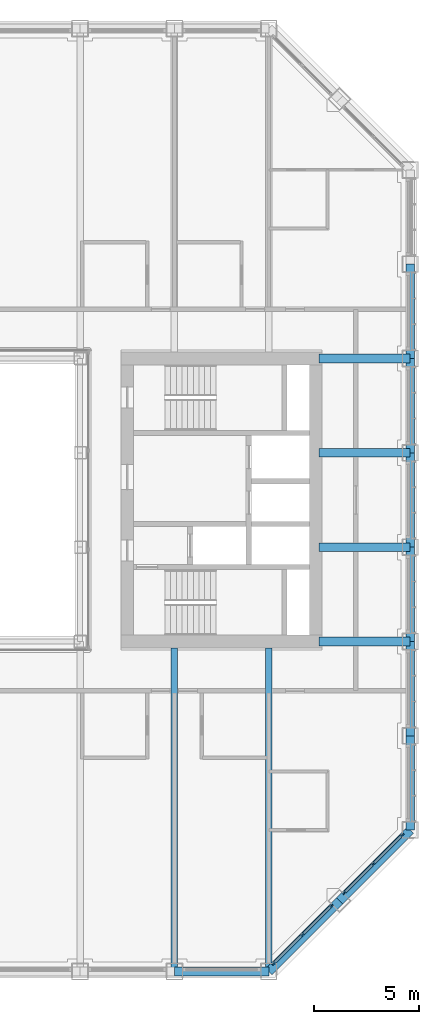
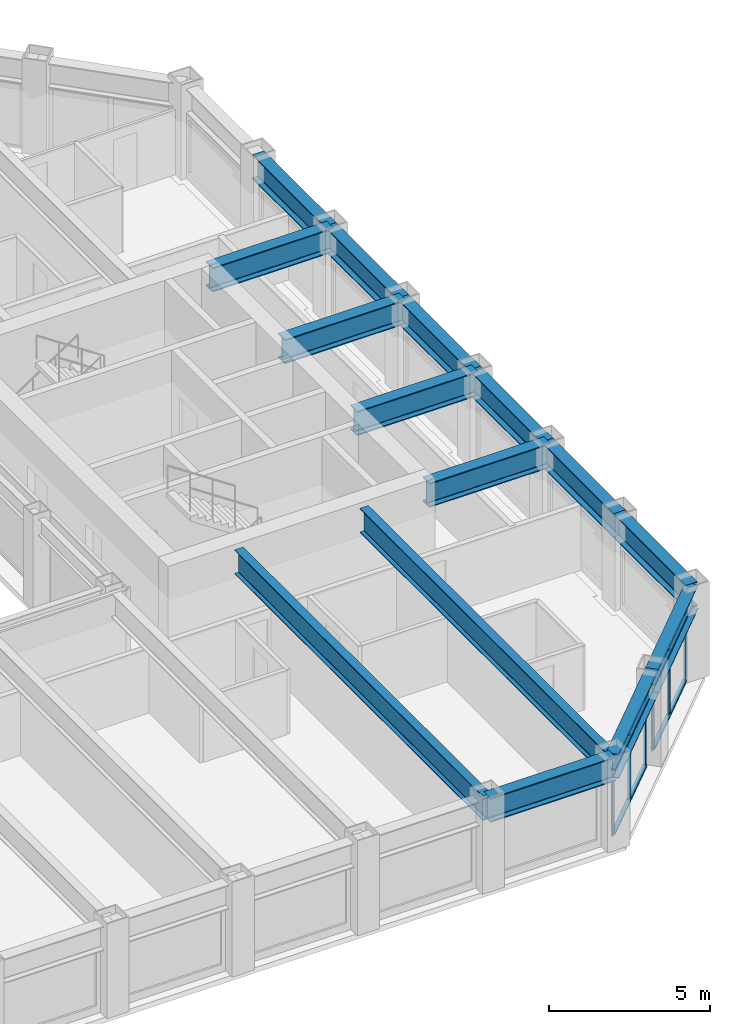
# One storey, part 6 of 17: 15 beams, 14 members, 2 elements without a shape of their own.
"""IFC4 building model written with IfcOpenShell, lengths in metres."""

from ifc_helpers import new_model, si_unit, direction, frame, origin, origin_2d, place, context, subcontext, project, spatial, rectangle, i_section, extrude, material, material_profile, profile_set, type_object, element, aggregate, save


model = new_model("IFC4")

# Units and contexts
model_context = context("Model", 3, precision=1e-05, world=origin(), true_north=direction((0.0, 1.0)))
body_context = subcontext(model_context, "Body", "Model", "MODEL_VIEW")
ifc_project = project(units=[si_unit("LENGTHUNIT", "METRE"), si_unit("AREAUNIT", "SQUARE_METRE"), si_unit("VOLUMEUNIT", "CUBIC_METRE"), si_unit("PLANEANGLEUNIT", "RADIAN"), si_unit("MASSUNIT", "GRAM", prefix="KILO")], contexts=[model_context])

# Site, building, storey
site_placement = place(None, origin())
site = spatial("IfcSite", under=ifc_project, at=site_placement, CompositionType="ELEMENT")
building_placement = place(site_placement, origin())
building = spatial("IfcBuilding", under=site, at=building_placement, Name="Msasa Ring Tower", CompositionType="ELEMENT")
storey_placement = place(building_placement, frame((0.0, 0.0, 172.39990234375)))
storey = spatial("IfcBuildingStorey", under=building, at=storey_placement, Name="L45", CompositionType="ELEMENT", Elevation=172.39990234375)

# Curtain wall, members
ifc_material_1 = material(Name="Aluminium curtain wall with clear glass", Category="aluminium")
curtain_wall_type = type_object("IfcCurtainWallType", Name="CW-C CHAMFER CORNER CURTAIN WALL", PredefinedType="NOTDEFINED", material=ifc_material_1)
curtain_wall_1_placement = place(storey_placement, origin())
curtain_wall_1 = element("IfcCurtainWall", 1, at=curtain_wall_1_placement, inside=storey, type_object=curtain_wall_type, Name="Chamfer corner curtain wall SE L45", PredefinedType="NOTDEFINED")
ifc_material_2 = material(Name="Aluminium mullion", Category="aluminium")
ifc_material_profile_1 = material_profile(ifc_material_2, rectangle(XDim=0.06494140625, YDim=0.179931640625, at=origin_2d()), Name="AL 65x180")
ifc_profile_set_1 = profile_set([ifc_material_profile_1], Name="Aluminium mullion")
member_type_1 = type_object("IfcMemberType", Name="CW-C MULLION 65x180", PredefinedType="MULLION", material=ifc_profile_set_1)
member_1_placement = place(storey_placement, frame((15.98876953125, -22.119873046875, 0.0), z_axis=(0.0, 0.0, 1.0), x_axis=(-0.707106781187, 0.707106781187, 0.0)))
member_1 = element("IfcMember", 2, at=member_1_placement, type_object=member_type_1, Name="CW-C mullion 1", PredefinedType="MULLION", context=body_context, shape_type="SweptSolid", body=[
    extrude(rectangle(XDim=0.06494140625, YDim=0.179931640625, at=origin_2d()), origin(), (0.0, 0.0, 1.0), 2.47900390625),
])
member_2_placement = place(storey_placement, frame((17.36669921875, -20.74169921875, 0.0), z_axis=(0.0, 0.0, 1.0), x_axis=(-0.707106781187, 0.707106781187, 0.0)))
member_2 = element("IfcMember", 3, at=member_2_placement, type_object=member_type_1, Name="CW-C mullion 2", PredefinedType="MULLION", context=body_context, shape_type="SweptSolid", body=[
    extrude(rectangle(XDim=0.06494140625, YDim=0.179931640625, at=origin_2d()), origin(), (0.0, 0.0, 1.0), 2.47900390625),
])
member_3_placement = place(storey_placement, frame((18.744873046875, -19.36376953125, 0.0), z_axis=(0.0, 0.0, 1.0), x_axis=(-0.707106781187, 0.707106781187, 0.0)))
member_3 = element("IfcMember", 4, at=member_3_placement, type_object=member_type_1, Name="CW-C mullion 3", PredefinedType="MULLION", context=body_context, shape_type="SweptSolid", body=[
    extrude(rectangle(XDim=0.06494140625, YDim=0.179931640625, at=origin_2d()), origin(), (0.0, 0.0, 1.0), 2.47900390625),
])

curtain_wall_2_placement = place(storey_placement, origin())
curtain_wall_2 = element("IfcCurtainWall", 5, at=curtain_wall_2_placement, inside=storey, type_object=curtain_wall_type, Name="Chamfer corner curtain wall SE L45", PredefinedType="NOTDEFINED")
member_4_placement = place(storey_placement, frame((19.36376953125, -18.744873046875, 0.0), z_axis=(0.0, 0.0, 1.0), x_axis=(-0.707106781187, 0.707106781187, 0.0)))
member_4 = element("IfcMember", 6, at=member_4_placement, type_object=member_type_1, Name="CW-C mullion 1", PredefinedType="MULLION", context=body_context, shape_type="SweptSolid", body=[
    extrude(rectangle(XDim=0.06494140625, YDim=0.179931640625, at=origin_2d()), origin(), (0.0, 0.0, 1.0), 2.47900390625),
])
member_5_placement = place(storey_placement, frame((20.74169921875, -17.36669921875, 0.0), z_axis=(0.0, 0.0, 1.0), x_axis=(-0.707106781187, 0.707106781187, 0.0)))
member_5 = element("IfcMember", 7, at=member_5_placement, type_object=member_type_1, Name="CW-C mullion 2", PredefinedType="MULLION", context=body_context, shape_type="SweptSolid", body=[
    extrude(rectangle(XDim=0.06494140625, YDim=0.179931640625, at=origin_2d()), origin(), (0.0, 0.0, 1.0), 2.47900390625),
])
member_6_placement = place(storey_placement, frame((22.119873046875, -15.98876953125, 0.0), z_axis=(0.0, 0.0, 1.0), x_axis=(-0.707106781187, 0.707106781187, 0.0)))
member_6 = element("IfcMember", 8, at=member_6_placement, type_object=member_type_1, Name="CW-C mullion 3", PredefinedType="MULLION", context=body_context, shape_type="SweptSolid", body=[
    extrude(rectangle(XDim=0.06494140625, YDim=0.179931640625, at=origin_2d()), origin(), (0.0, 0.0, 1.0), 2.47900390625),
])

# Member
ifc_material_3 = material(Name="Aluminium transom", Category="aluminium")
ifc_material_profile_2 = material_profile(ifc_material_3, rectangle(XDim=0.139892578125, YDim=0.06494140625, at=origin_2d()), Name="AL 65x140")
ifc_profile_set_2 = profile_set([ifc_material_profile_2], Name="Aluminium transom")
member_type_2 = type_object("IfcMemberType", Name="CW-C TRANSOM 65x140", PredefinedType="USERDEFINED", material=ifc_profile_set_2)
member_7_placement = place(storey_placement, frame((16.01171875, -22.096923828125, 0.03271484375), z_axis=(0.707106781187, 0.707106781187, 0.0), x_axis=(-0.707106781187, 0.707106781187, 0.0)))
member_7 = element("IfcMember", 9, at=member_7_placement, type_object=member_type_2, Name="CW-C transom 1.1", ObjectType="TRANSOM", PredefinedType="USERDEFINED", context=body_context, shape_type="SweptSolid", body=[
    extrude(rectangle(XDim=0.139892578125, YDim=0.06494140625, at=origin_2d()), origin(), (0.0, 0.0, 1.0), 1.8837890625),
])

member_8_placement = place(storey_placement, frame((16.01171875, -22.096923828125, 2.446533203125), z_axis=(0.707106781187, 0.707106781187, 0.0), x_axis=(-0.707106781187, 0.707106781187, 0.0)))
member_8 = element("IfcMember", 10, at=member_8_placement, type_object=member_type_2, Name="CW-C transom 1.2", ObjectType="TRANSOM", PredefinedType="USERDEFINED", context=body_context, shape_type="SweptSolid", body=[
    extrude(rectangle(XDim=0.139892578125, YDim=0.06494140625, at=origin_2d()), origin(), (0.0, 0.0, 1.0), 1.8837890625),
])

member_9_placement = place(storey_placement, frame((17.389892578125, -20.71875, 0.03271484375), z_axis=(0.707106781187, 0.707106781187, 0.0), x_axis=(-0.707106781187, 0.707106781187, 0.0)))
member_9 = element("IfcMember", 11, at=member_9_placement, type_object=member_type_2, Name="CW-C transom 2.1", ObjectType="TRANSOM", PredefinedType="USERDEFINED", context=body_context, shape_type="SweptSolid", body=[
    extrude(rectangle(XDim=0.139892578125, YDim=0.06494140625, at=origin_2d()), origin(), (0.0, 0.0, 1.0), 1.8837890625),
])

member_10_placement = place(storey_placement, frame((17.389892578125, -20.71875, 2.446533203125), z_axis=(0.707106781187, 0.707106781187, 0.0), x_axis=(-0.707106781187, 0.707106781187, 0.0)))
member_10 = element("IfcMember", 12, at=member_10_placement, type_object=member_type_2, Name="CW-C transom 2.2", ObjectType="TRANSOM", PredefinedType="USERDEFINED", context=body_context, shape_type="SweptSolid", body=[
    extrude(rectangle(XDim=0.139892578125, YDim=0.06494140625, at=origin_2d()), origin(), (0.0, 0.0, 1.0), 1.8837890625),
])

aggregate(curtain_wall_1, [member_1, member_2, member_3, member_7, member_8, member_9, member_10])

member_11_placement = place(storey_placement, frame((19.38671875, -18.721923828125, 0.03271484375), z_axis=(0.707106781187, 0.707106781187, 0.0), x_axis=(-0.707106781187, 0.707106781187, 0.0)))
member_11 = element("IfcMember", 13, at=member_11_placement, type_object=member_type_2, Name="CW-C transom 1.1", ObjectType="TRANSOM", PredefinedType="USERDEFINED", context=body_context, shape_type="SweptSolid", body=[
    extrude(rectangle(XDim=0.139892578125, YDim=0.06494140625, at=origin_2d()), origin(), (0.0, 0.0, 1.0), 1.8837890625),
])

member_12_placement = place(storey_placement, frame((19.38671875, -18.721923828125, 2.446533203125), z_axis=(0.707106781187, 0.707106781187, 0.0), x_axis=(-0.707106781187, 0.707106781187, 0.0)))
member_12 = element("IfcMember", 14, at=member_12_placement, type_object=member_type_2, Name="CW-C transom 1.2", ObjectType="TRANSOM", PredefinedType="USERDEFINED", context=body_context, shape_type="SweptSolid", body=[
    extrude(rectangle(XDim=0.139892578125, YDim=0.06494140625, at=origin_2d()), origin(), (0.0, 0.0, 1.0), 1.8837890625),
])

member_13_placement = place(storey_placement, frame((20.764892578125, -17.34375, 0.03271484375), z_axis=(0.707106781187, 0.707106781187, 0.0), x_axis=(-0.707106781187, 0.707106781187, 0.0)))
member_13 = element("IfcMember", 15, at=member_13_placement, type_object=member_type_2, Name="CW-C transom 2.1", ObjectType="TRANSOM", PredefinedType="USERDEFINED", context=body_context, shape_type="SweptSolid", body=[
    extrude(rectangle(XDim=0.139892578125, YDim=0.06494140625, at=origin_2d()), origin(), (0.0, 0.0, 1.0), 1.8837890625),
])

member_14_placement = place(storey_placement, frame((20.764892578125, -17.34375, 2.446533203125), z_axis=(0.707106781187, 0.707106781187, 0.0), x_axis=(-0.707106781187, 0.707106781187, 0.0)))
member_14 = element("IfcMember", 16, at=member_14_placement, type_object=member_type_2, Name="CW-C transom 2.2", ObjectType="TRANSOM", PredefinedType="USERDEFINED", context=body_context, shape_type="SweptSolid", body=[
    extrude(rectangle(XDim=0.139892578125, YDim=0.06494140625, at=origin_2d()), origin(), (0.0, 0.0, 1.0), 1.8837890625),
])

aggregate(curtain_wall_2, [member_4, member_5, member_6, member_11, member_12, member_13, member_14])

# Beams
ifc_material_4 = material(Name="Steel S355", Category="steel")
ifc_material_profile_3 = material_profile(ifc_material_4, i_section(OverallWidth=0.42041015625, OverallDepth=0.9208984375, WebThickness=0.021484375, FlangeThickness=0.03662109375, FilletRadius=0.024169921875, at=origin_2d()), Name="UB 914x419x388")
ifc_profile_set_3 = profile_set([ifc_material_profile_3], Name="Steel S355")
beam_type_1 = type_object("IfcBeamType", Name="FB2 UB 914x419x388", PredefinedType="BEAM", material=ifc_profile_set_3)
for number, where, z_axis, x_axis, name in (
    (17, (22.5, -2.25, 2.939697265625), (-1.0, 0.0, 0.0), (0.0, -1.0, 0.0), "Floor beam E -2.25 under L46"),
    (18, (22.5, 2.25, 2.939697265625), (-1.0, 0.0, 0.0), (0.0, -1.0, 0.0), "Floor beam E +2.25 under L46"),
):
    element("IfcBeam", number, at=place(storey_placement, frame(where, z_axis=z_axis, x_axis=x_axis)), inside=storey, type_object=beam_type_1, Name=name, PredefinedType="BEAM", context=body_context, shape_type="SweptSolid", body=[
        extrude(i_section(OverallWidth=0.42041015625, OverallDepth=0.9208984375, WebThickness=0.021484375, FlangeThickness=0.03662109375, FilletRadius=0.024169921875, at=origin_2d()), origin(), (0.0, 0.0, 1.0), 4.35009765625),
    ])
ifc_material_5 = material(Name="Steel S355", Category="steel")
ifc_material_profile_4 = material_profile(ifc_material_5, i_section(OverallWidth=0.3076171875, OverallDepth=0.926513671875, WebThickness=0.01953125, FlangeThickness=0.031982421875, FilletRadius=0.01904296875, at=origin_2d()), Name="UB 914x305x289")
ifc_profile_set_4 = profile_set([ifc_material_profile_4], Name="Steel S355")
beam_type_2 = type_object("IfcBeamType", Name="FB3 UB 914x305x289", PredefinedType="BEAM", material=ifc_profile_set_4)
for number, where, z_axis, x_axis, name in (
    (19, (11.25, -22.5, 2.936767578125), (0.0, 1.0, 0.0), (-1.0, 0.0, 0.0), "Floor beam S+11.25 under L46"),
    (20, (15.75, -22.5, 2.936767578125), (0.0, 1.0, 0.0), (-1.0, 0.0, 0.0), "Floor beam S+15.75 under L46"),
):
    element("IfcBeam", number, at=place(storey_placement, frame(where, z_axis=z_axis, x_axis=x_axis)), inside=storey, type_object=beam_type_2, Name=name, PredefinedType="BEAM", context=body_context, shape_type="SweptSolid", body=[
        extrude(i_section(OverallWidth=0.3076171875, OverallDepth=0.926513671875, WebThickness=0.01953125, FlangeThickness=0.031982421875, FilletRadius=0.01904296875, at=origin_2d()), origin(), (0.0, 0.0, 1.0), 15.449951171875),
    ])
ifc_material_6 = material(Name="Steel S355", Category="steel")
ifc_material_profile_5 = material_profile(ifc_material_6, i_section(OverallWidth=0.42041015625, OverallDepth=0.9208984375, WebThickness=0.021484375, FlangeThickness=0.03662109375, FilletRadius=0.024169921875, at=origin_2d()), Name="UB 914x419x388")
ifc_profile_set_5 = profile_set([ifc_material_profile_5], Name="Steel S355")
beam_type_3 = type_object("IfcBeamType", Name="GB1 UB 914x419x388", PredefinedType="BEAM", material=ifc_profile_set_5)
for number, where, z_axis, x_axis, name in (
    (21, (18.14990234375, 6.75, 2.939697265625), (1.0, 0.0, 0.0), (0.0, 1.0, 0.0), "Girder E +6.75 under L46"),
    (22, (18.14990234375, -6.75, 2.939697265625), (1.0, 0.0, 0.0), (0.0, 1.0, 0.0), "Girder E -6.75 under L46"),
):
    element("IfcBeam", number, at=place(storey_placement, frame(where, z_axis=z_axis, x_axis=x_axis)), inside=storey, type_object=beam_type_3, Name=name, PredefinedType="BEAM", context=body_context, shape_type="SweptSolid", body=[
        extrude(i_section(OverallWidth=0.42041015625, OverallDepth=0.9208984375, WebThickness=0.021484375, FlangeThickness=0.03662109375, FilletRadius=0.024169921875, at=origin_2d()), origin(), (0.0, 0.0, 1.0), 4.35009765625),
    ])
ifc_material_7 = material(Name="Steel S355", Category="steel")
ifc_material_profile_6 = material_profile(ifc_material_7, i_section(OverallWidth=0.42041015625, OverallDepth=0.9208984375, WebThickness=0.021484375, FlangeThickness=0.03662109375, FilletRadius=0.024169921875, at=origin_2d()), Name="UB 914x419x388")
ifc_profile_set_6 = profile_set([ifc_material_profile_6], Name="Steel S355")
beam_type_4 = type_object("IfcBeamType", Name="SB1 UB 914x419x388", PredefinedType="SPANDREL", material=ifc_profile_set_6)
beam_placement = place(storey_placement, frame((11.25, -22.5, 2.939697265625), z_axis=(1.0, 0.0, 0.0), x_axis=(0.0, 1.0, 0.0)))
element("IfcBeam", 23, at=beam_placement, inside=storey, type_object=beam_type_4, Name="Spandrel S+11.25 to S+15.75 under L46", PredefinedType="SPANDREL", context=body_context, shape_type="SweptSolid", body=[
    extrude(i_section(OverallWidth=0.42041015625, OverallDepth=0.9208984375, WebThickness=0.021484375, FlangeThickness=0.03662109375, FilletRadius=0.024169921875, at=origin_2d()), origin(), (0.0, 0.0, 1.0), 4.5),
])
for number, where, z_axis, x_axis, name in (
    (24, (15.75, -22.5, 2.939697265625), (0.707106781187, 0.707106781187, 0.0), (-0.707106781187, 0.707106781187, 0.0), "Spandrel S+15.75 to SE under L46"),
    (25, (19.125, -19.125, 2.939697265625), (0.707106781187, 0.707106781187, 0.0), (-0.707106781187, 0.707106781187, 0.0), "Spandrel SE to E-15.75 under L46"),
):
    element("IfcBeam", number, at=place(storey_placement, frame(where, z_axis=z_axis, x_axis=x_axis)), inside=storey, type_object=beam_type_4, Name=name, PredefinedType="SPANDREL", context=body_context, shape_type="SweptSolid", body=[
        extrude(i_section(OverallWidth=0.42041015625, OverallDepth=0.9208984375, WebThickness=0.021484375, FlangeThickness=0.03662109375, FilletRadius=0.024169921875, at=origin_2d()), origin(), (0.0, 0.0, 1.0), 4.77294921875),
    ])
for number, where, z_axis, x_axis, name in (
    (26, (22.5, -15.75, 2.939697265625), (0.0, 1.0, 0.0), (-1.0, 0.0, 0.0), "Spandrel E-15.75 to E-11.25 under L46"),
    (27, (22.5, -11.25, 2.939697265625), (0.0, 1.0, 0.0), (-1.0, 0.0, 0.0), "Spandrel E-11.25 to E-6.75 under L46"),
    (28, (22.5, -6.75, 2.939697265625), (0.0, 1.0, 0.0), (-1.0, 0.0, 0.0), "Spandrel E-6.75 to E-2.25 under L46"),
    (29, (22.5, -2.25, 2.939697265625), (0.0, 1.0, 0.0), (-1.0, 0.0, 0.0), "Spandrel E-2.25 to E+2.25 under L46"),
    (30, (22.5, 2.25, 2.939697265625), (0.0, 1.0, 0.0), (-1.0, 0.0, 0.0), "Spandrel E+2.25 to E+6.75 under L46"),
    (31, (22.5, 6.75, 2.939697265625), (0.0, 1.0, 0.0), (-1.0, 0.0, 0.0), "Spandrel E+6.75 to E+11.25 under L46"),
):
    element("IfcBeam", number, at=place(storey_placement, frame(where, z_axis=z_axis, x_axis=x_axis)), inside=storey, type_object=beam_type_4, Name=name, PredefinedType="SPANDREL", context=body_context, shape_type="SweptSolid", body=[
        extrude(i_section(OverallWidth=0.42041015625, OverallDepth=0.9208984375, WebThickness=0.021484375, FlangeThickness=0.03662109375, FilletRadius=0.024169921875, at=origin_2d()), origin(), (0.0, 0.0, 1.0), 4.5),
    ])

save(model, "model.ifc")
